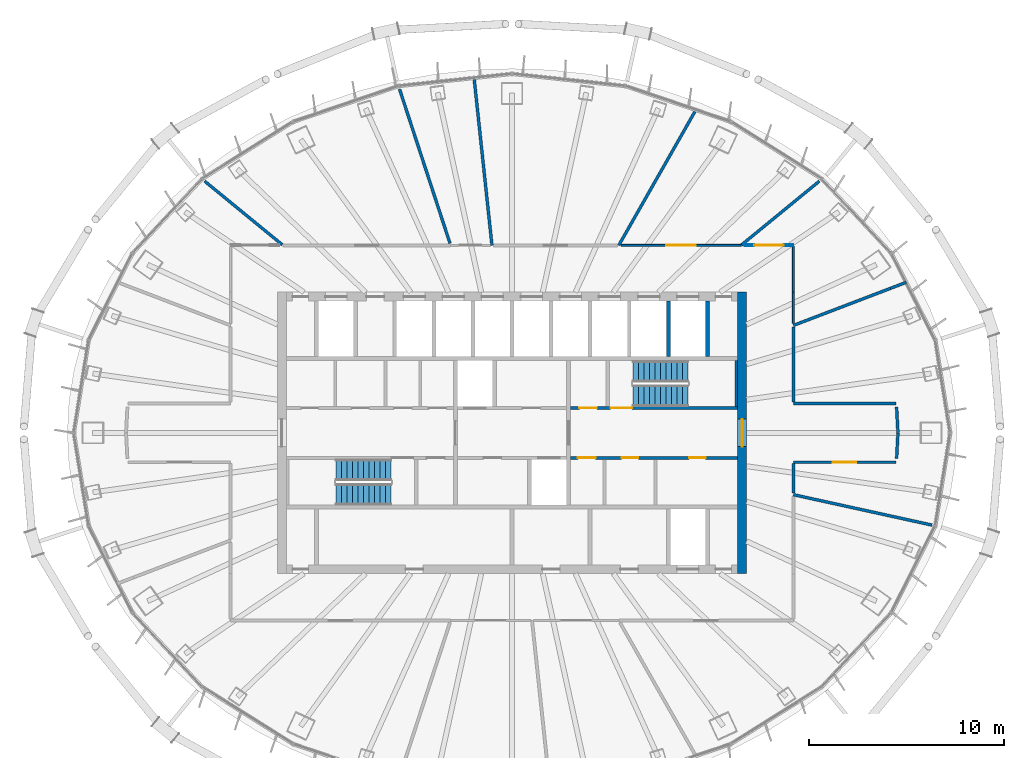
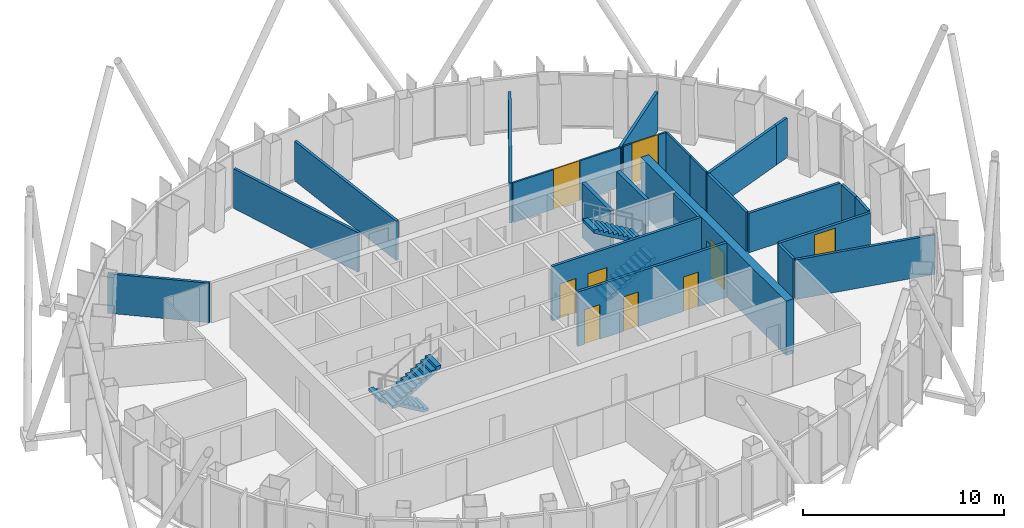
# One storey, part 11 of 18: 24 walls, 9 doors, 4 stair flights, 9 openings, 2 elements without a shape of their own.
"""IFC4 building model written with IfcOpenShell, lengths in metres."""

from ifc_helpers import new_model, si_unit, direction, frame, frame_2d, origin, place, context, subcontext, project, spatial, polyline, rectangle, outline, extrude, material, layer, layer_set, type_object, element, fill, aggregate, save


model = new_model("IFC4")

# Units and contexts
model_context = context("Model", 3, precision=1e-05, world=origin(), true_north=direction((0.0, 1.0)))
body_context = subcontext(model_context, "Body", "Model", "MODEL_VIEW")
ifc_project = project(units=[si_unit("LENGTHUNIT", "METRE"), si_unit("AREAUNIT", "SQUARE_METRE"), si_unit("VOLUMEUNIT", "CUBIC_METRE"), si_unit("PLANEANGLEUNIT", "RADIAN"), si_unit("MASSUNIT", "GRAM", prefix="KILO")], contexts=[model_context])

# Site, building, storey
site_placement = place(None, origin())
site = spatial("IfcSite", under=ifc_project, at=site_placement, CompositionType="ELEMENT")
building_placement = place(site_placement, origin())
building = spatial("IfcBuilding", under=site, at=building_placement, Name="Siaravel Broadcast Tower", CompositionType="ELEMENT")
storey_placement = place(building_placement, frame((0.0, 0.0, 201.5)))
storey = spatial("IfcBuildingStorey", under=building, at=storey_placement, Name="L49", CompositionType="ELEMENT", Elevation=201.5)

# Wall, opening, door
ifc_material_1 = material(Name="Concrete C60/75", Category="concrete")
ifc_layer_1 = layer(ifc_material_1, 0.449951171875)
ifc_layer_set_1 = layer_set([ifc_layer_1], Name="Concrete C60/75")
wall_type_1 = type_object("IfcWallType", Name="Core wall 450", PredefinedType="SHEAR", material=ifc_layer_set_1)
wall_1_placement = place(storey_placement, frame((11.77490234375, -7.199951171875, 0.0), z_axis=(0.0, 0.0, 1.0), x_axis=(0.0, 1.0, 0.0)))
wall_1 = element("IfcWall", 1, at=wall_1_placement, inside=storey, type_object=wall_type_1, Name="L49 core wall OE", PredefinedType="SHEAR", context=body_context, shape_type="SweptSolid", body=[
    extrude(rectangle(XDim=14.39990234375, YDim=0.449951171875, at=frame_2d((7.199951171875, 0.0))), origin(), (0.0, 0.0, 1.0), 3.300048828125),
])
opening_1_placement = place(wall_1_placement, frame((6.5, 0.0, 0.0)))
opening_1 = element("IfcOpeningElement", 2, at=opening_1_placement, cuts=wall_1, Name="Opening L49-DX-E", PredefinedType="OPENING", context=body_context, shape_type="SweptSolid", body=[
    extrude(rectangle(XDim=1.39990234375, YDim=2.199951171875, at=frame_2d((0.699951171875, 1.10009765625))), frame((0.0, 0.23486328125, 0.0), z_axis=(0.0, -1.0, 0.0), x_axis=(1.0, 0.0, 0.0)), (0.0, 0.0, 1.0), 0.469970703125),
])
ifc_material_2 = material(Name="Steel", Category="steel")
door_type_1 = type_object("IfcDoorType", Name="Core exit door 1400", OperationType="DOUBLE_DOOR_SINGLE_SWING", PredefinedType="DOOR", material=ifc_material_2)
door_1_placement = place(opening_1_placement, origin())
door_1 = element("IfcDoor", 3, at=door_1_placement, inside=storey, type_object=door_type_1, Name="L49 door DX-E", OperationType="DOUBLE_DOOR_SINGLE_SWING", OverallHeight=2.199951171875, OverallWidth=1.39990234375, PredefinedType="DOOR", context=body_context, shape_type="SweptSolid", body=[
    extrude(rectangle(XDim=1.39990234375, YDim=2.199951171875, at=frame_2d((0.699951171875, 1.10009765625))), frame((0.0, 0.02490234375, 0.0), z_axis=(0.0, -1.0, 0.0), x_axis=(1.0, 0.0, 0.0)), (0.0, 0.0, 1.0), 0.050048828125),
])
fill(opening_1, door_1)

# Wall, openings, doors
ifc_material_3 = material(Name="Gypsum board partition", Category="gypsum")
ifc_layer_2 = layer(ifc_material_3, 0.14990234375)
ifc_layer_set_2 = layer_set([ifc_layer_2], Name="Gypsum board partition")
wall_type_2 = type_object("IfcWallType", Name="Corridor wall 150", PredefinedType="PARTITIONING", material=ifc_layer_set_2)
wall_2_placement = place(storey_placement, frame((3.0, -1.27490234375, 0.0), z_axis=(0.0, 0.0, 1.0), x_axis=(1.0, 0.0, 0.0)))
wall_2 = element("IfcWall", 4, at=wall_2_placement, inside=storey, type_object=wall_type_2, Name="L49 core partition CSE", PredefinedType="PARTITIONING", context=body_context, shape_type="SweptSolid", body=[
    extrude(rectangle(XDim=8.550048828125, YDim=0.14990234375, at=frame_2d((4.27490234375, 0.0))), origin(), (0.0, 0.0, 1.0), 3.300048828125),
])
opening_2_placement = place(wall_2_placement, frame((0.375, 0.0, 0.0)))
opening_2 = element("IfcOpeningElement", 5, at=opening_2_placement, cuts=wall_2, Name="Opening L49-DSE0", PredefinedType="OPENING", context=body_context, shape_type="SweptSolid", body=[
    extrude(rectangle(XDim=0.89990234375, YDim=2.10009765625, at=frame_2d((0.449951171875, 1.050048828125))), frame((0.0, 0.0849609375, 0.0), z_axis=(0.0, -1.0, 0.0), x_axis=(1.0, 0.0, 0.0)), (0.0, 0.0, 1.0), 0.169921875),
])
opening_3_placement = place(wall_2_placement, frame((2.612548828125, 0.0, 0.0)))
opening_3 = element("IfcOpeningElement", 6, at=opening_3_placement, cuts=wall_2, Name="Opening L49-DSE1", PredefinedType="OPENING", context=body_context, shape_type="SweptSolid", body=[
    extrude(rectangle(XDim=0.85009765625, YDim=2.10009765625, at=frame_2d((0.425048828125, 1.050048828125))), frame((0.0, 0.0849609375, 0.0), z_axis=(0.0, -1.0, 0.0), x_axis=(1.0, 0.0, 0.0)), (0.0, 0.0, 1.0), 0.169921875),
])
opening_4_placement = place(wall_2_placement, frame((6.0625, 0.0, 0.0)))
opening_4 = element("IfcOpeningElement", 7, at=opening_4_placement, cuts=wall_2, Name="Opening L49-DSE2", PredefinedType="OPENING", context=body_context, shape_type="SweptSolid", body=[
    extrude(rectangle(XDim=0.85009765625, YDim=2.10009765625, at=frame_2d((0.425048828125, 1.050048828125))), frame((0.0, 0.0849609375, 0.0), z_axis=(0.0, -1.0, 0.0), x_axis=(1.0, 0.0, 0.0)), (0.0, 0.0, 1.0), 0.169921875),
])
ifc_material_4 = material(Name="Timber veneer", Category="wood")
door_type_2 = type_object("IfcDoorType", Name="Core room door 900", OperationType="SINGLE_SWING_LEFT", PredefinedType="DOOR", material=ifc_material_4)
door_2_placement = place(opening_2_placement, origin())
door_2 = element("IfcDoor", 8, at=door_2_placement, inside=storey, type_object=door_type_2, Name="L49 door DSE0", OperationType="SINGLE_SWING_LEFT", OverallHeight=2.10009765625, OverallWidth=0.89990234375, PredefinedType="DOOR", context=body_context, shape_type="SweptSolid", body=[
    extrude(rectangle(XDim=0.89990234375, YDim=2.10009765625, at=frame_2d((0.449951171875, 1.050048828125))), frame((0.0, 0.02490234375, 0.0), z_axis=(0.0, -1.0, 0.0), x_axis=(1.0, 0.0, 0.0)), (0.0, 0.0, 1.0), 0.050048828125),
])
fill(opening_2, door_2)
door_type_3 = type_object("IfcDoorType", Name="Core toilet door 850", OperationType="SINGLE_SWING_LEFT", PredefinedType="DOOR", material=ifc_material_4)
door_3_placement = place(opening_3_placement, origin())
door_3 = element("IfcDoor", 9, at=door_3_placement, inside=storey, type_object=door_type_3, Name="L49 door DSE1", OperationType="SINGLE_SWING_LEFT", OverallHeight=2.10009765625, OverallWidth=0.85009765625, PredefinedType="DOOR", context=body_context, shape_type="SweptSolid", body=[
    extrude(rectangle(XDim=0.85009765625, YDim=2.10009765625, at=frame_2d((0.425048828125, 1.050048828125))), frame((0.0, 0.02490234375, 0.0), z_axis=(0.0, -1.0, 0.0), x_axis=(1.0, 0.0, 0.0)), (0.0, 0.0, 1.0), 0.050048828125),
])
fill(opening_3, door_3)
door_4_placement = place(opening_4_placement, origin())
door_4 = element("IfcDoor", 10, at=door_4_placement, inside=storey, type_object=door_type_3, Name="L49 door DSE2", OperationType="SINGLE_SWING_LEFT", OverallHeight=2.10009765625, OverallWidth=0.85009765625, PredefinedType="DOOR", context=body_context, shape_type="SweptSolid", body=[
    extrude(rectangle(XDim=0.85009765625, YDim=2.10009765625, at=frame_2d((0.425048828125, 1.050048828125))), frame((0.0, 0.02490234375, 0.0), z_axis=(0.0, -1.0, 0.0), x_axis=(1.0, 0.0, 0.0)), (0.0, 0.0, 1.0), 0.050048828125),
])
fill(opening_4, door_4)

# Wall, opening, door
wall_3_placement = place(storey_placement, frame((14.39990234375, -1.5, 0.0), z_axis=(0.0, 0.0, 1.0), x_axis=(1.0, 0.0, 0.0)))
wall_3 = element("IfcWall", 11, at=wall_3_placement, inside=storey, type_object=wall_type_2, Name="L49 partition 18", PredefinedType="PARTITIONING", context=body_context, shape_type="SweptSolid", body=[
    extrude(rectangle(XDim=5.253173828125, YDim=0.14990234375, at=frame_2d((2.62646484375, 0.0))), origin(), (0.0, 0.0, 1.0), 2.39990234375),
])
opening_5_placement = place(wall_3_placement, frame((2.026611328125, 0.0, 0.0)))
opening_5 = element("IfcOpeningElement", 12, at=opening_5_placement, cuts=wall_3, Name="Opening L49-008", PredefinedType="OPENING", context=body_context, shape_type="SweptSolid", body=[
    extrude(rectangle(XDim=1.199951171875, YDim=2.199951171875, at=frame_2d((0.60009765625, 1.10009765625))), frame((0.0, 0.0849609375, 0.0), z_axis=(0.0, -1.0, 0.0), x_axis=(1.0, 0.0, 0.0)), (0.0, 0.0, 1.0), 0.169921875),
])
door_type_4 = type_object("IfcDoorType", Name="Office double door 1200", OperationType="DOUBLE_DOOR_SINGLE_SWING", PredefinedType="DOOR", material=ifc_material_4)
door_5_placement = place(opening_5_placement, origin())
door_5 = element("IfcDoor", 13, at=door_5_placement, inside=storey, type_object=door_type_4, Name="L49 door to Open plan office", OperationType="DOUBLE_DOOR_SINGLE_SWING", OverallHeight=2.199951171875, OverallWidth=1.199951171875, PredefinedType="DOOR", context=body_context, shape_type="SweptSolid", body=[
    extrude(rectangle(XDim=1.199951171875, YDim=2.199951171875, at=frame_2d((0.60009765625, 1.10009765625))), frame((0.0, 0.02490234375, 0.0), z_axis=(0.0, -1.0, 0.0), x_axis=(1.0, 0.0, 0.0)), (0.0, 0.0, 1.0), 0.050048828125),
])
fill(opening_5, door_5)

# Walls
wall_4_placement = place(storey_placement, frame((19.653076171875, 1.5, 0.0), z_axis=(0.0, 0.0, 1.0), x_axis=(-1.0, 0.0, 0.0)))
element("IfcWall", 14, at=wall_4_placement, inside=storey, type_object=wall_type_2, Name="L49 partition 19", PredefinedType="PARTITIONING", context=body_context, shape_type="SweptSolid", body=[
    extrude(rectangle(XDim=5.253173828125, YDim=0.14990234375, at=frame_2d((2.62646484375, 0.0))), origin(), (0.0, 0.0, 1.0), 2.39990234375),
])
wall_5_placement = place(storey_placement, frame((14.39990234375, 1.576904296875, 0.0), z_axis=(0.0, 0.0, 1.0), x_axis=(0.0, 1.0, 0.0)))
element("IfcWall", 15, at=wall_5_placement, inside=storey, type_object=wall_type_2, Name="L49 partition 27", PredefinedType="PARTITIONING", context=body_context, shape_type="SweptSolid", body=[
    extrude(rectangle(XDim=3.851318359375, YDim=0.14990234375, at=frame_2d((1.92578125, 0.0))), origin(), (0.0, 0.0, 1.0), 2.39990234375),
])
wall_6_placement = place(storey_placement, frame((14.39990234375, -3.085205078125, 0.0), z_axis=(0.0, 0.0, 1.0), x_axis=(0.0, 1.0, 0.0)))
element("IfcWall", 16, at=wall_6_placement, inside=storey, type_object=wall_type_2, Name="L49 partition 38", PredefinedType="PARTITIONING", context=body_context, shape_type="SweptSolid", body=[
    extrude(rectangle(XDim=1.50830078125, YDim=0.14990234375, at=frame_2d((0.754150390625, 0.0))), origin(), (0.0, 0.0, 1.0), 2.39990234375),
])
wall_7_placement = place(storey_placement, frame((19.68212890625, -1.319091796875, 0.0), z_axis=(0.0, 0.0, 1.0), x_axis=(0.053228156, 0.998582377, 0.0)))
element("IfcWall", 17, at=wall_7_placement, inside=storey, type_object=wall_type_2, Name="L49 partition 41", PredefinedType="PARTITIONING", context=body_context, shape_type="SweptSolid", body=[
    extrude(rectangle(XDim=1.321044921875, YDim=0.14990234375, at=frame_2d((0.66064453125, 0.0))), origin(), (0.0, 0.0, 1.0), 2.39990234375),
])
wall_8_placement = place(storey_placement, frame((19.751953125, 0.010009765625, 0.0), z_axis=(0.0, 0.0, 1.0), x_axis=(-0.053262595, 0.998580541, 0.0)))
element("IfcWall", 18, at=wall_8_placement, inside=storey, type_object=wall_type_2, Name="L49 partition 42", PredefinedType="PARTITIONING", context=body_context, shape_type="SweptSolid", body=[
    extrude(rectangle(XDim=1.31103515625, YDim=0.14990234375, at=frame_2d((0.655517578125, 0.0))), origin(), (0.0, 0.0, 1.0), 2.39990234375),
])

# Wall, opening, door
ifc_material_5 = material(Name="Glazed aluminium partition", Category="aluminium")
ifc_layer_3 = layer(ifc_material_5, 0.10009765625)
ifc_layer_set_3 = layer_set([ifc_layer_3], Name="Glazed aluminium partition")
wall_type_3 = type_object("IfcWallType", Name="Glazed meeting room partition 100", PredefinedType="PARTITIONING", material=ifc_layer_set_3)
wall_9_placement = place(storey_placement, frame((11.719970703125, 9.60009765625, 0.0), z_axis=(0.0, 0.0, 1.0), x_axis=(-1.0, 0.0, 0.0)))
wall_9 = element("IfcWall", 19, at=wall_9_placement, inside=storey, type_object=wall_type_3, Name="L49 partition 12", PredefinedType="PARTITIONING", context=body_context, shape_type="SweptSolid", body=[
    extrude(rectangle(XDim=6.13818359375, YDim=0.10009765625, at=frame_2d((3.069091796875, 0.0))), origin(), (0.0, 0.0, 1.0), 2.39990234375),
])
opening_6_placement = place(wall_9_placement, frame((2.319091796875, 0.0, 0.0)))
opening_6 = element("IfcOpeningElement", 20, at=opening_6_placement, cuts=wall_9, Name="Opening L49-010", PredefinedType="OPENING", context=body_context, shape_type="SweptSolid", body=[
    extrude(rectangle(XDim=1.5, YDim=2.39990234375, at=frame_2d((0.75, 1.199951171875))), frame((0.0, 0.06005859375, 0.0), z_axis=(0.0, -1.0, 0.0), x_axis=(1.0, 0.0, 0.0)), (0.0, 0.0, 1.0), 0.1201171875),
])
door_type_5 = type_object("IfcDoorType", Name="Conference double door 1500", OperationType="DOUBLE_DOOR_SINGLE_SWING", PredefinedType="DOOR", material=ifc_material_4)
door_6_placement = place(opening_6_placement, origin())
door_6 = element("IfcDoor", 21, at=door_6_placement, inside=storey, type_object=door_type_5, Name="L49 door to Training room", OperationType="DOUBLE_DOOR_SINGLE_SWING", OverallHeight=2.39990234375, OverallWidth=1.5, PredefinedType="DOOR", context=body_context, shape_type="SweptSolid", body=[
    extrude(rectangle(XDim=1.5, YDim=2.39990234375, at=frame_2d((0.75, 1.199951171875))), frame((0.0, 0.02490234375, 0.0), z_axis=(0.0, -1.0, 0.0), x_axis=(1.0, 0.0, 0.0)), (0.0, 0.0, 1.0), 0.050048828125),
])
fill(opening_6, door_6)

wall_10_placement = place(storey_placement, frame((14.39990234375, 9.60009765625, 0.0), z_axis=(0.0, 0.0, 1.0), x_axis=(-1.0, 0.0, 0.0)))
wall_10 = element("IfcWall", 22, at=wall_10_placement, inside=storey, type_object=wall_type_3, Name="L49 partition 29", PredefinedType="PARTITIONING", context=body_context, shape_type="SweptSolid", body=[
    extrude(rectangle(XDim=2.49853515625, YDim=0.10009765625, at=frame_2d((1.249267578125, 0.0))), origin(), (0.0, 0.0, 1.0), 2.39990234375),
])
opening_7_placement = place(wall_10_placement, frame((0.499267578125, 0.0, 0.0)))
opening_7 = element("IfcOpeningElement", 23, at=opening_7_placement, cuts=wall_10, Name="Opening L49-009", PredefinedType="OPENING", context=body_context, shape_type="SweptSolid", body=[
    extrude(rectangle(XDim=1.5, YDim=2.39990234375, at=frame_2d((0.75, 1.199951171875))), frame((0.0, 0.06005859375, 0.0), z_axis=(0.0, -1.0, 0.0), x_axis=(1.0, 0.0, 0.0)), (0.0, 0.0, 1.0), 0.1201171875),
])
door_7_placement = place(opening_7_placement, origin())
door_7 = element("IfcDoor", 24, at=door_7_placement, inside=storey, type_object=door_type_5, Name="L49 door to Boardroom", OperationType="DOUBLE_DOOR_SINGLE_SWING", OverallHeight=2.39990234375, OverallWidth=1.5, PredefinedType="DOOR", context=body_context, shape_type="SweptSolid", body=[
    extrude(rectangle(XDim=1.5, YDim=2.39990234375, at=frame_2d((0.75, 1.199951171875))), frame((0.0, 0.02490234375, 0.0), z_axis=(0.0, -1.0, 0.0), x_axis=(1.0, 0.0, 0.0)), (0.0, 0.0, 1.0), 0.050048828125),
])
fill(opening_7, door_7)

# Walls
wall_11_placement = place(storey_placement, frame((14.39990234375, 7.18798828125, 0.0), z_axis=(0.0, 0.0, 1.0), x_axis=(0.0, 1.0, 0.0)))
element("IfcWall", 25, at=wall_11_placement, inside=storey, type_object=wall_type_3, Name="L49 partition 33", PredefinedType="PARTITIONING", context=body_context, shape_type="SweptSolid", body=[
    extrude(rectangle(XDim=2.360107421875, YDim=0.10009765625, at=frame_2d((1.18017578125, 0.0))), origin(), (0.0, 0.0, 1.0), 2.39990234375),
])
wall_12_placement = place(storey_placement, frame((14.39990234375, 5.6015625, 0.0), z_axis=(0.0, 0.0, 1.0), x_axis=(0.0, 1.0, 0.0)))
element("IfcWall", 26, at=wall_12_placement, inside=storey, type_object=wall_type_3, Name="L49 partition 37", PredefinedType="PARTITIONING", context=body_context, shape_type="SweptSolid", body=[
    extrude(rectangle(XDim=1.58544921875, YDim=0.10009765625, at=frame_2d((0.792724609375, 0.0))), origin(), (0.0, 0.0, 1.0), 2.39990234375),
])
ifc_layer_4 = layer(ifc_material_3, 0.14990234375)
ifc_layer_set_4 = layer_set([ifc_layer_4], Name="Gypsum board partition")
wall_type_4 = type_object("IfcWallType", Name="Room partition 150", PredefinedType="PARTITIONING", material=ifc_layer_set_4)
wall_13_placement = place(storey_placement, frame((-1.9375, 18.1396484375, 0.0), z_axis=(0.0, 0.0, 1.0), x_axis=(0.106205895, -0.99434416, 0.0)))
element("IfcWall", 27, at=wall_13_placement, inside=storey, type_object=wall_type_4, Name="L49 partition 3", PredefinedType="PARTITIONING", context=body_context, shape_type="SweptSolid", body=[
    extrude(rectangle(XDim=8.588134765625, YDim=0.14990234375, at=frame_2d((4.2939453125, 0.0))), origin(), (0.0, 0.0, 1.0), 2.39990234375),
])
wall_14_placement = place(storey_placement, frame((-3.173095703125, 9.7001953125, 0.0), z_axis=(0.0, 0.0, 1.0), x_axis=(-0.31092844, 0.950433325, 0.0)))
element("IfcWall", 28, at=wall_14_placement, inside=storey, type_object=wall_type_4, Name="L49 partition 7", PredefinedType="PARTITIONING", context=body_context, shape_type="SweptSolid", body=[
    extrude(rectangle(XDim=8.30029296875, YDim=0.14990234375, at=frame_2d((4.150146484375, 0.0))), origin(), (0.0, 0.0, 1.0), 2.39990234375),
])
wall_15_placement = place(storey_placement, frame((9.39599609375, 16.50537109375, 0.0), z_axis=(0.0, 0.0, 1.0), x_axis=(-0.494718736, -0.869053147, 0.0)))
element("IfcWall", 29, at=wall_15_placement, inside=storey, type_object=wall_type_4, Name="L49 partition 9", PredefinedType="PARTITIONING", context=body_context, shape_type="SweptSolid", body=[
    extrude(rectangle(XDim=7.94580078125, YDim=0.14990234375, at=frame_2d((3.972900390625, 0.0))), origin(), (0.0, 0.0, 1.0), 2.39990234375),
])
wall_16_placement = place(storey_placement, frame((21.49658203125, -4.718017578125, 0.0), z_axis=(0.0, 0.0, 1.0), x_axis=(-0.976749835, 0.214382274, 0.0)))
element("IfcWall", 30, at=wall_16_placement, inside=storey, type_object=wall_type_4, Name="L49 partition 10", PredefinedType="PARTITIONING", context=body_context, shape_type="SweptSolid", body=[
    extrude(rectangle(XDim=7.265625, YDim=0.14990234375, at=frame_2d((3.6328125, 0.0))), origin(), (0.0, 0.0, 1.0), 2.39990234375),
])
wall_17_placement = place(storey_placement, frame((19.36669921875, 7.397216796875, 0.0), z_axis=(0.0, 0.0, 1.0), x_axis=(-0.934183326, -0.356793376, 0.0)))
element("IfcWall", 31, at=wall_17_placement, inside=storey, type_object=wall_type_4, Name="L49 partition 15", PredefinedType="PARTITIONING", context=body_context, shape_type="SweptSolid", body=[
    extrude(rectangle(XDim=5.316650390625, YDim=0.14990234375, at=frame_2d((2.658203125, 0.0))), origin(), (0.0, 0.0, 1.0), 2.39990234375),
])
wall_18_placement = place(storey_placement, frame((-15.728515625, 12.88330078125, 0.0), z_axis=(0.0, 0.0, 1.0), x_axis=(0.77361382, -0.633657366, 0.0)))
element("IfcWall", 32, at=wall_18_placement, inside=storey, type_object=wall_type_4, Name="L49 partition 20", PredefinedType="PARTITIONING", context=body_context, shape_type="SweptSolid", body=[
    extrude(rectangle(XDim=5.132080078125, YDim=0.14990234375, at=frame_2d((2.56591796875, 0.0))), origin(), (0.0, 0.0, 1.0), 2.39990234375),
])
wall_19_placement = place(storey_placement, frame((15.726806640625, 12.882080078125, 0.0), z_axis=(0.0, 0.0, 1.0), x_axis=(-0.773595696, -0.633679492, 0.0)))
element("IfcWall", 33, at=wall_19_placement, inside=storey, type_object=wall_type_4, Name="L49 partition 21", PredefinedType="PARTITIONING", context=body_context, shape_type="SweptSolid", body=[
    extrude(rectangle(XDim=5.145751953125, YDim=0.14990234375, at=frame_2d((2.57275390625, 0.0))), origin(), (0.0, 0.0, 1.0), 2.39990234375),
])
wall_20_placement = place(storey_placement, frame((20.17822265625, 7.707275390625, 0.0), z_axis=(0.0, 0.0, 1.0), x_axis=(-0.934184285, -0.356790865, 0.0)))
element("IfcWall", 34, at=wall_20_placement, inside=storey, type_object=wall_type_4, Name="L49 partition 44", PredefinedType="PARTITIONING", context=body_context, shape_type="SweptSolid", body=[
    extrude(rectangle(XDim=0.86767578125, YDim=0.14990234375, at=frame_2d((0.433837890625, 0.0))), origin(), (0.0, 0.0, 1.0), 2.39990234375),
])

# Wall, openings, doors
ifc_layer_5 = layer(ifc_material_1, 0.14990234375)
ifc_layer_set_5 = layer_set([ifc_layer_5], Name="Concrete C60/75")
wall_type_5 = type_object("IfcWallType", Name="Shaft wall 150", PredefinedType="SHEAR", material=ifc_layer_set_5)
wall_21_placement = place(storey_placement, frame((3.0, 1.27490234375, 0.0), z_axis=(0.0, 0.0, 1.0), x_axis=(1.0, 0.0, 0.0)))
wall_21 = element("IfcWall", 35, at=wall_21_placement, inside=storey, type_object=wall_type_5, Name="L49 core wall CNE", PredefinedType="SHEAR", context=body_context, shape_type="SweptSolid", body=[
    extrude(rectangle(XDim=8.550048828125, YDim=0.14990234375, at=frame_2d((4.27490234375, 0.0))), origin(), (0.0, 0.0, 1.0), 3.300048828125),
])
opening_8_placement = place(wall_21_placement, frame((2.050048828125, 0.0, 0.0)))
opening_8 = element("IfcOpeningElement", 36, at=opening_8_placement, cuts=wall_21, Name="Opening L49-DS-2", PredefinedType="OPENING", context=body_context, shape_type="SweptSolid", body=[
    extrude(rectangle(XDim=1.10009765625, YDim=2.14990234375, at=frame_2d((0.550048828125, 1.074951171875))), frame((0.0, 0.0849609375, 0.0), z_axis=(0.0, -1.0, 0.0), x_axis=(1.0, 0.0, 0.0)), (0.0, 0.0, 1.0), 0.169921875),
])
opening_9_placement = place(wall_21_placement, frame((0.449951171875, 0.0, 0.0)))
opening_9 = element("IfcOpeningElement", 37, at=opening_9_placement, cuts=wall_21, Name="Opening L49-DNE0", PredefinedType="OPENING", context=body_context, shape_type="SweptSolid", body=[
    extrude(rectangle(XDim=0.89990234375, YDim=2.10009765625, at=frame_2d((0.449951171875, 1.050048828125))), frame((0.0, 0.0849609375, 0.0), z_axis=(0.0, -1.0, 0.0), x_axis=(1.0, 0.0, 0.0)), (0.0, 0.0, 1.0), 0.169921875),
])
door_8_placement = place(opening_9_placement, origin())
door_8 = element("IfcDoor", 38, at=door_8_placement, inside=storey, type_object=door_type_2, Name="L49 door DNE0", OperationType="SINGLE_SWING_LEFT", OverallHeight=2.10009765625, OverallWidth=0.89990234375, PredefinedType="DOOR", context=body_context, shape_type="SweptSolid", body=[
    extrude(rectangle(XDim=0.89990234375, YDim=2.10009765625, at=frame_2d((0.449951171875, 1.050048828125))), frame((0.0, 0.02490234375, 0.0), z_axis=(0.0, -1.0, 0.0), x_axis=(1.0, 0.0, 0.0)), (0.0, 0.0, 1.0), 0.050048828125),
])
fill(opening_9, door_8)
door_type_6 = type_object("IfcDoorType", Name="Stair door 1100", OperationType="SINGLE_SWING_LEFT", PredefinedType="DOOR", material=ifc_material_2)
door_9_placement = place(opening_8_placement, origin())
door_9 = element("IfcDoor", 39, at=door_9_placement, inside=storey, type_object=door_type_6, Name="L49 door DS-2", OperationType="SINGLE_SWING_LEFT", OverallHeight=2.14990234375, OverallWidth=1.10009765625, PredefinedType="DOOR", context=body_context, shape_type="SweptSolid", body=[
    extrude(rectangle(XDim=1.10009765625, YDim=2.14990234375, at=frame_2d((0.550048828125, 1.074951171875))), frame((0.0, 0.02490234375, 0.0), z_axis=(0.0, -1.0, 0.0), x_axis=(1.0, 0.0, 0.0)), (0.0, 0.0, 1.0), 0.050048828125),
])
fill(opening_8, door_9)

# Walls
wall_22_placement = place(storey_placement, frame((11.47509765625, 1.35009765625, 0.0), z_axis=(0.0, 0.0, 1.0), x_axis=(0.0, 1.0, 0.0)))
element("IfcWall", 40, at=wall_22_placement, inside=storey, type_object=wall_type_5, Name="L49 core wall ST2E", PredefinedType="SHEAR", context=body_context, shape_type="SweptSolid", body=[
    extrude(rectangle(XDim=2.349853515625, YDim=0.14990234375, at=frame_2d((1.1748046875, 0.0))), origin(), (0.0, 0.0, 1.0), 3.300048828125),
])
ifc_layer_6 = layer(ifc_material_1, 0.199951171875)
ifc_layer_set_6 = layer_set([ifc_layer_6], Name="Concrete C60/75")
wall_type_6 = type_object("IfcWallType", Name="Shaft wall 200", PredefinedType="SHEAR", material=ifc_layer_set_6)
for number, where, z_axis, x_axis, name in (
    (41, (8.0, 3.89990234375, 0.0), (0.0, 0.0, 1.0), (0.0, 1.0, 0.0), "L49 core wall SWN9"),
    (42, (10.0, 3.89990234375, 0.0), (0.0, 0.0, 1.0), (0.0, 1.0, 0.0), "L49 core wall SWN10"),
):
    element("IfcWall", number, at=place(storey_placement, frame(where, z_axis=z_axis, x_axis=x_axis)), inside=storey, type_object=wall_type_6, Name=name, PredefinedType="SHEAR", context=body_context, shape_type="SweptSolid", body=[
        extrude(rectangle(XDim=2.85009765625, YDim=0.199951171875, at=frame_2d((1.425048828125, 0.0))), origin(), (0.0, 0.0, 1.0), 3.300048828125),
    ])

# Stair, stair flights
ifc_material_6 = material(Name="Concrete C40/50", Category="concrete")
stair_type = type_object("IfcStairType", Name="Core exit stair", PredefinedType="HALF_TURN_STAIR", material=ifc_material_6)
stair_1_placement = place(storey_placement, origin())
stair_1 = element("IfcStair", 43, at=stair_1_placement, inside=storey, type_object=stair_type, Name="L49 Exit stair ST-1", PredefinedType="HALF_TURN_STAIR")
stair_flight_type = type_object("IfcStairFlightType", Name="Stair flight 1100", PredefinedType="STRAIGHT", material=ifc_material_6)
stair_flight_1_placement = place(storey_placement, frame((-6.199951171875, -1.89990234375, 0.0), z_axis=(0.0, 0.0, 1.0), x_axis=(-1.0, 0.0, 0.0)))
stair_flight_1 = element("IfcStairFlight", 44, at=stair_flight_1_placement, type_object=stair_flight_type, Name="ST-1 flight 1", NumberOfRisers=11, NumberOfTreads=10, PredefinedType="STRAIGHT", RiserHeight=0.1681818, TreadLength=0.28, context=body_context, shape_type="SweptSolid", body=[
    extrude(outline(polyline([(0.0, 0.0), (0.0, 0.168212890625), (0.280029296875, 0.168212890625), (0.280029296875, 0.33642578125), (0.56005859375, 0.33642578125), (0.56005859375, 0.504638671875), (0.840087890625, 0.504638671875), (0.840087890625, 0.672607421875), (1.1201171875, 0.672607421875), (1.1201171875, 0.8408203125), (1.39990234375, 0.8408203125), (1.39990234375, 1.009033203125), (1.679931640625, 1.009033203125), (1.679931640625, 1.17724609375), (1.9599609375, 1.17724609375), (1.9599609375, 1.345458984375), (2.239990234375, 1.345458984375), (2.239990234375, 1.513671875), (2.52001953125, 1.513671875), (2.52001953125, 1.681884765625), (2.800048828125, 1.681884765625), (2.800048828125, 1.85009765625), (2.800048828125, 1.5068359375), (0.291015625, 0.0), (0.0, 0.0)])), frame((0.0, 0.550048828125, 0.0), z_axis=(0.0, -1.0, 0.0), x_axis=(1.0, 0.0, 0.0)), (0.0, 0.0, 1.0), 1.10009765625),
])
stair_flight_2_placement = place(storey_placement, frame((-9.0, -3.14990234375, 1.85009765625), z_axis=(0.0, 0.0, 1.0), x_axis=(1.0, 0.0, 0.0)))
stair_flight_2 = element("IfcStairFlight", 45, at=stair_flight_2_placement, type_object=stair_flight_type, Name="ST-1 flight 2", NumberOfRisers=11, NumberOfTreads=10, PredefinedType="STRAIGHT", RiserHeight=0.1681818, TreadLength=0.28, context=body_context, shape_type="SweptSolid", body=[
    extrude(outline(polyline([(0.0, 0.0), (0.0, 0.168212890625), (0.280029296875, 0.168212890625), (0.280029296875, 0.33642578125), (0.56005859375, 0.33642578125), (0.56005859375, 0.504638671875), (0.840087890625, 0.504638671875), (0.840087890625, 0.672607421875), (1.1201171875, 0.672607421875), (1.1201171875, 0.8408203125), (1.39990234375, 0.8408203125), (1.39990234375, 1.009033203125), (1.679931640625, 1.009033203125), (1.679931640625, 1.17724609375), (1.9599609375, 1.17724609375), (1.9599609375, 1.345458984375), (2.239990234375, 1.345458984375), (2.239990234375, 1.513671875), (2.52001953125, 1.513671875), (2.52001953125, 1.681884765625), (2.800048828125, 1.681884765625), (2.800048828125, 1.85009765625), (2.800048828125, 1.5068359375), (0.291015625, 0.0), (0.0, 0.0)])), frame((0.0, 0.550048828125, 0.0), z_axis=(0.0, -1.0, 0.0), x_axis=(1.0, 0.0, 0.0)), (0.0, 0.0, 1.0), 1.10009765625),
])
aggregate(stair_1, [stair_flight_1, stair_flight_2])

stair_2_placement = place(storey_placement, origin())
stair_2 = element("IfcStair", 46, at=stair_2_placement, inside=storey, type_object=stair_type, Name="L49 Exit stair ST-2", PredefinedType="HALF_TURN_STAIR")
stair_flight_3_placement = place(storey_placement, frame((6.199951171875, 1.89990234375, 0.0), z_axis=(0.0, 0.0, 1.0), x_axis=(1.0, 0.0, 0.0)))
stair_flight_3 = element("IfcStairFlight", 47, at=stair_flight_3_placement, type_object=stair_flight_type, Name="ST-2 flight 1", NumberOfRisers=11, NumberOfTreads=10, PredefinedType="STRAIGHT", RiserHeight=0.1681818, TreadLength=0.28, context=body_context, shape_type="SweptSolid", body=[
    extrude(outline(polyline([(0.0, 0.0), (0.0, 0.168212890625), (0.280029296875, 0.168212890625), (0.280029296875, 0.33642578125), (0.56005859375, 0.33642578125), (0.56005859375, 0.504638671875), (0.840087890625, 0.504638671875), (0.840087890625, 0.672607421875), (1.1201171875, 0.672607421875), (1.1201171875, 0.8408203125), (1.39990234375, 0.8408203125), (1.39990234375, 1.009033203125), (1.679931640625, 1.009033203125), (1.679931640625, 1.17724609375), (1.9599609375, 1.17724609375), (1.9599609375, 1.345458984375), (2.239990234375, 1.345458984375), (2.239990234375, 1.513671875), (2.52001953125, 1.513671875), (2.52001953125, 1.681884765625), (2.800048828125, 1.681884765625), (2.800048828125, 1.85009765625), (2.800048828125, 1.5068359375), (0.291015625, 0.0), (0.0, 0.0)])), frame((0.0, 0.550048828125, 0.0), z_axis=(0.0, -1.0, 0.0), x_axis=(1.0, 0.0, 0.0)), (0.0, 0.0, 1.0), 1.10009765625),
])
stair_flight_4_placement = place(storey_placement, frame((9.0, 3.14990234375, 1.85009765625), z_axis=(0.0, 0.0, 1.0), x_axis=(-1.0, 0.0, 0.0)))
stair_flight_4 = element("IfcStairFlight", 48, at=stair_flight_4_placement, type_object=stair_flight_type, Name="ST-2 flight 2", NumberOfRisers=11, NumberOfTreads=10, PredefinedType="STRAIGHT", RiserHeight=0.1681818, TreadLength=0.28, context=body_context, shape_type="SweptSolid", body=[
    extrude(outline(polyline([(0.0, 0.0), (0.0, 0.168212890625), (0.280029296875, 0.168212890625), (0.280029296875, 0.33642578125), (0.56005859375, 0.33642578125), (0.56005859375, 0.504638671875), (0.840087890625, 0.504638671875), (0.840087890625, 0.672607421875), (1.1201171875, 0.672607421875), (1.1201171875, 0.8408203125), (1.39990234375, 0.8408203125), (1.39990234375, 1.009033203125), (1.679931640625, 1.009033203125), (1.679931640625, 1.17724609375), (1.9599609375, 1.17724609375), (1.9599609375, 1.345458984375), (2.239990234375, 1.345458984375), (2.239990234375, 1.513671875), (2.52001953125, 1.513671875), (2.52001953125, 1.681884765625), (2.800048828125, 1.681884765625), (2.800048828125, 1.85009765625), (2.800048828125, 1.5068359375), (0.291015625, 0.0), (0.0, 0.0)])), frame((0.0, 0.550048828125, 0.0), z_axis=(0.0, -1.0, 0.0), x_axis=(1.0, 0.0, 0.0)), (0.0, 0.0, 1.0), 1.10009765625),
])
aggregate(stair_2, [stair_flight_3, stair_flight_4])

save(model, "model.ifc")
